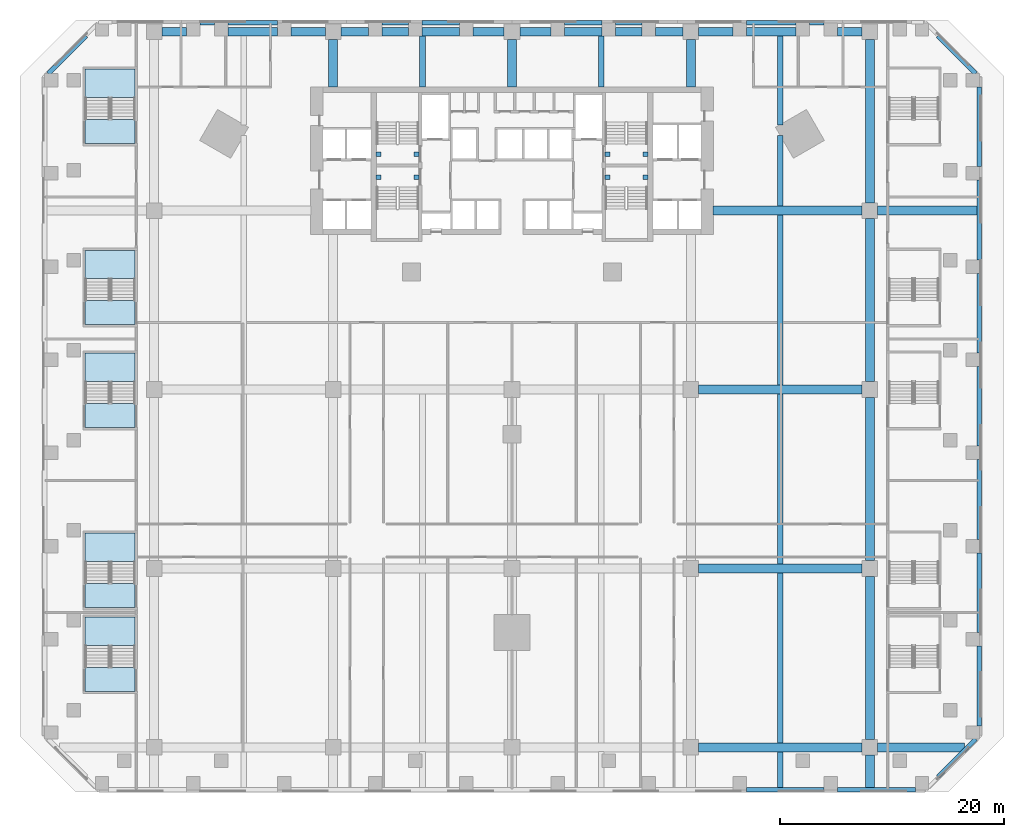
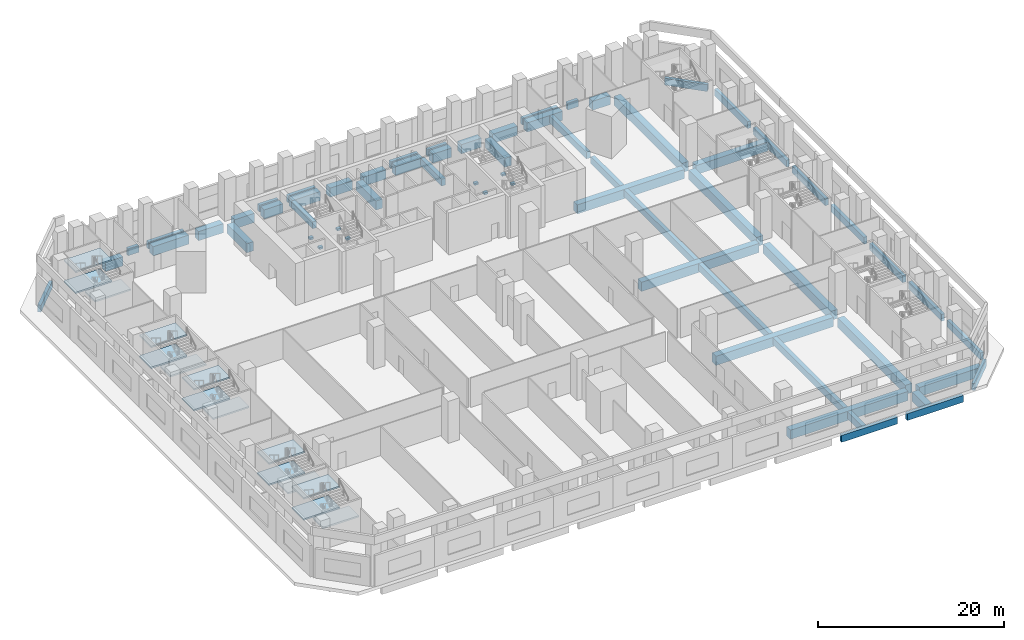
# One storey, part 2 of 22: 64 beams, 15 slabs, 5 elements without a shape of their own.
"""IFC4 building model written with IfcOpenShell, lengths in metres."""

from ifc_helpers import new_model, si_unit, direction, frame, origin, origin_2d, place, context, subcontext, project, spatial, polyline, rectangle, outline, extrude, material, layer, layer_set, material_profile, profile_set, type_object, element, aggregate, save


model = new_model("IFC4")

# Units and contexts
model_context = context("Model", 3, precision=1e-05, world=origin(), true_north=direction((0.0, 1.0)))
body_context = subcontext(model_context, "Body", "Model", "MODEL_VIEW")
ifc_project = project(units=[si_unit("LENGTHUNIT", "METRE"), si_unit("AREAUNIT", "SQUARE_METRE"), si_unit("VOLUMEUNIT", "CUBIC_METRE"), si_unit("PLANEANGLEUNIT", "RADIAN"), si_unit("MASSUNIT", "GRAM", prefix="KILO")], contexts=[model_context])

# Site, building, storey
site_placement = place(None, origin())
site = spatial("IfcSite", under=ifc_project, at=site_placement, CompositionType="ELEMENT")
building_placement = place(site_placement, origin())
building = spatial("IfcBuilding", under=site, at=building_placement, Name="Calabash Gate Tower", CompositionType="ELEMENT")
storey_placement = place(building_placement, frame((0.0, 0.0, 34.5)))
storey = spatial("IfcBuildingStorey", under=building, at=storey_placement, Name="L04", CompositionType="ELEMENT", Elevation=34.5)

# Beams
ifc_material_1 = material(Name="Concrete C50/60", Category="concrete")
ifc_material_profile_1 = material_profile(ifc_material_1, rectangle(XDim=0.39990234375, YDim=0.89990234375, at=origin_2d()))
ifc_profile_set_1 = profile_set([ifc_material_profile_1], Name="Concrete C50/60")
beam_type_1 = type_object("IfcBeamType", Name="Edge beam RC 400x900 Concrete C50/60", PredefinedType="BEAM", material=ifc_profile_set_1)
beam_1_placement = place(storey_placement, frame((-41.464111328125, 20.2529296875, -0.89990234375), z_axis=(0.707209208473, 0.707004339061, 0.0), x_axis=(-0.707004339061, 0.707209208473, 0.0)))
element("IfcBeam", 1, at=beam_1_placement, inside=storey, type_object=beam_type_1, Name="Edge beam L04 9", PredefinedType="BEAM", context=body_context, shape_type="SweptSolid", body=[
    extrude(rectangle(XDim=0.39990234375, YDim=0.89990234375, at=origin_2d()), origin(), (0.0, 0.0, 1.0), 4.766845703125),
])
beam_2_placement = place(storey_placement, frame((-27.919921875, 24.800048828125, -0.89990234375), z_axis=(1.0, 0.0, 0.0), x_axis=(0.0, 1.0, 0.0)))
element("IfcBeam", 2, at=beam_2_placement, inside=storey, type_object=beam_type_1, Name="Edge beam L04 10", PredefinedType="BEAM", context=body_context, shape_type="SweptSolid", body=[
    extrude(rectangle(XDim=0.39990234375, YDim=0.89990234375, at=origin_2d()), origin(), (0.0, 0.0, 1.0), 1.31787109375),
])
beam_3_placement = place(storey_placement, frame((-25.40087890625, 24.800048828125, -0.89990234375), z_axis=(1.0, 0.0, 0.0), x_axis=(0.0, 1.0, 0.0)))
element("IfcBeam", 3, at=beam_3_placement, inside=storey, type_object=beam_type_1, Name="Edge beam L04 11", PredefinedType="BEAM", context=body_context, shape_type="SweptSolid", body=[
    extrude(rectangle(XDim=0.39990234375, YDim=0.89990234375, at=origin_2d()), origin(), (0.0, 0.0, 1.0), 4.428955078125),
])
beam_4_placement = place(storey_placement, frame((-11.623046875, 24.800048828125, -0.89990234375), z_axis=(1.0, 0.0, 0.0), x_axis=(0.0, 1.0, 0.0)))
element("IfcBeam", 4, at=beam_4_placement, inside=storey, type_object=beam_type_1, Name="Edge beam L04 12", PredefinedType="BEAM", context=body_context, shape_type="SweptSolid", body=[
    extrude(rectangle(XDim=0.39990234375, YDim=0.89990234375, at=origin_2d()), origin(), (0.0, 0.0, 1.0), 2.35595703125),
])
for number, where, z_axis, x_axis, name in (
    (5, (-8.06689453125, 24.800048828125, -0.89990234375), (1.0, 0.0, 0.0), (0.0, 1.0, 0.0), "Edge beam L04 13"),
    (6, (4.674072265625, 24.800048828125, -0.89990234375), (1.0, 0.0, 0.0), (0.0, 1.0, 0.0), "Edge beam L04 14"),
):
    element("IfcBeam", number, at=place(storey_placement, frame(where, z_axis=z_axis, x_axis=x_axis)), inside=storey, type_object=beam_type_1, Name=name, PredefinedType="BEAM", context=body_context, shape_type="SweptSolid", body=[
        extrude(rectangle(XDim=0.39990234375, YDim=0.89990234375, at=origin_2d()), origin(), (0.0, 0.0, 1.0), 3.392822265625),
    ])
beam_5_placement = place(storey_placement, frame((9.26708984375, 24.800048828125, -0.89990234375), z_axis=(1.0, 0.0, 0.0), x_axis=(0.0, 1.0, 0.0)))
element("IfcBeam", 7, at=beam_5_placement, inside=storey, type_object=beam_type_1, Name="Edge beam L04 15", PredefinedType="BEAM", context=body_context, shape_type="SweptSolid", body=[
    extrude(rectangle(XDim=0.39990234375, YDim=0.89990234375, at=origin_2d()), origin(), (0.0, 0.0, 1.0), 2.35595703125),
])
beam_6_placement = place(storey_placement, frame((20.971923828125, 24.800048828125, -0.89990234375), z_axis=(1.0, 0.0, 0.0), x_axis=(0.0, 1.0, 0.0)))
element("IfcBeam", 8, at=beam_6_placement, inside=storey, type_object=beam_type_1, Name="Edge beam L04 16", PredefinedType="BEAM", context=body_context, shape_type="SweptSolid", body=[
    extrude(rectangle(XDim=0.39990234375, YDim=0.89990234375, at=origin_2d()), origin(), (0.0, 0.0, 1.0), 4.428955078125),
])
beam_7_placement = place(storey_placement, frame((26.60205078125, 24.800048828125, -0.89990234375), z_axis=(1.0, 0.0, 0.0), x_axis=(0.0, 1.0, 0.0)))
element("IfcBeam", 9, at=beam_7_placement, inside=storey, type_object=beam_type_1, Name="Edge beam L04 17", PredefinedType="BEAM", context=body_context, shape_type="SweptSolid", body=[
    extrude(rectangle(XDim=0.39990234375, YDim=0.89990234375, at=origin_2d()), origin(), (0.0, 0.0, 1.0), 1.31787109375),
])
beam_8_placement = place(storey_placement, frame((38.096923828125, 23.623046875, -0.89990234375), z_axis=(0.706799232068, -0.707414196597, 0.0), x_axis=(0.707414196597, 0.706799232068, 0.0)))
element("IfcBeam", 10, at=beam_8_placement, inside=storey, type_object=beam_type_1, Name="Edge beam L04 18", PredefinedType="BEAM", context=body_context, shape_type="SweptSolid", body=[
    extrude(rectangle(XDim=0.39990234375, YDim=0.89990234375, at=origin_2d()), origin(), (0.0, 0.0, 1.0), 4.763916015625),
])
beam_9_placement = place(storey_placement, frame((41.800048828125, 19.069091796875, -0.89990234375), z_axis=(0.0, -1.0, 0.0), x_axis=(1.0, 0.0, 0.0)))
element("IfcBeam", 11, at=beam_9_placement, inside=storey, type_object=beam_type_1, Name="Edge beam L04 19", PredefinedType="BEAM", context=body_context, shape_type="SweptSolid", body=[
    extrude(rectangle(XDim=0.39990234375, YDim=0.89990234375, at=origin_2d()), origin(), (0.0, 0.0, 1.0), 7.132080078125),
])
beam_10_placement = place(storey_placement, frame((41.800048828125, 10.737060546875, -0.89990234375), z_axis=(0.0, -1.0, 0.0), x_axis=(1.0, 0.0, 0.0)))
element("IfcBeam", 12, at=beam_10_placement, inside=storey, type_object=beam_type_1, Name="Edge beam L04 20", PredefinedType="BEAM", context=body_context, shape_type="SweptSolid", body=[
    extrude(rectangle(XDim=0.39990234375, YDim=0.89990234375, at=origin_2d()), origin(), (0.0, 0.0, 1.0), 7.135986328125),
])
for number, where, z_axis, x_axis, name in (
    (13, (41.800048828125, 2.40087890625, -0.89990234375), (0.0, -1.0, 0.0), (1.0, 0.0, 0.0), "Edge beam L04 21"),
    (14, (41.800048828125, -5.93310546875, -0.89990234375), (0.0, -1.0, 0.0), (1.0, 0.0, 0.0), "Edge beam L04 22"),
    (15, (41.800048828125, -14.26708984375, -0.89990234375), (0.0, -1.0, 0.0), (1.0, 0.0, 0.0), "Edge beam L04 23"),
):
    element("IfcBeam", number, at=place(storey_placement, frame(where, z_axis=z_axis, x_axis=x_axis)), inside=storey, type_object=beam_type_1, Name=name, PredefinedType="BEAM", context=body_context, shape_type="SweptSolid", body=[
        extrude(rectangle(XDim=0.39990234375, YDim=0.89990234375, at=origin_2d()), origin(), (0.0, 0.0, 1.0), 7.1337890625),
    ])
beam_11_placement = place(storey_placement, frame((41.800048828125, -22.60107421875, -0.89990234375), z_axis=(0.0, -1.0, 0.0), x_axis=(1.0, 0.0, 0.0)))
element("IfcBeam", 16, at=beam_11_placement, inside=storey, type_object=beam_type_1, Name="Edge beam L04 24", PredefinedType="BEAM", context=body_context, shape_type="SweptSolid", body=[
    extrude(rectangle(XDim=0.39990234375, YDim=0.89990234375, at=origin_2d()), origin(), (0.0, 0.0, 1.0), 7.1318359375),
])
beam_12_placement = place(storey_placement, frame((41.800048828125, -30.93310546875, -0.89990234375), z_axis=(0.0, -1.0, 0.0), x_axis=(1.0, 0.0, 0.0)))
element("IfcBeam", 17, at=beam_12_placement, inside=storey, type_object=beam_type_1, Name="Edge beam L04 25", PredefinedType="BEAM", context=body_context, shape_type="SweptSolid", body=[
    extrude(rectangle(XDim=0.39990234375, YDim=0.89990234375, at=origin_2d()), origin(), (0.0, 0.0, 1.0), 7.135986328125),
])
beam_13_placement = place(storey_placement, frame((41.470947265625, -39.24609375, -0.89990234375), z_axis=(-0.706799855043, -0.707413574164, 0.0), x_axis=(0.707413574164, -0.706799855043, 0.0)))
element("IfcBeam", 18, at=beam_13_placement, inside=storey, type_object=beam_type_1, Name="Edge beam L04 26", PredefinedType="BEAM", context=body_context, shape_type="SweptSolid", body=[
    extrude(rectangle(XDim=0.39990234375, YDim=0.89990234375, at=origin_2d()), origin(), (0.0, 0.0, 1.0), 4.773681640625),
])
beam_14_placement = place(storey_placement, frame((36.069091796875, -43.800048828125, -0.89990234375), z_axis=(-1.0, 0.0, 0.0), x_axis=(0.0, -1.0, 0.0)))
element("IfcBeam", 19, at=beam_14_placement, inside=storey, type_object=beam_type_1, Name="Edge beam L04 27", PredefinedType="BEAM", context=body_context, shape_type="SweptSolid", body=[
    extrude(rectangle(XDim=0.39990234375, YDim=0.89990234375, at=origin_2d()), origin(), (0.0, 0.0, 1.0), 6.948974609375),
])
beam_15_placement = place(storey_placement, frame((27.919921875, -43.800048828125, -0.89990234375), z_axis=(-1.0, 0.0, 0.0), x_axis=(0.0, -1.0, 0.0)))
element("IfcBeam", 20, at=beam_15_placement, inside=storey, type_object=beam_type_1, Name="Edge beam L04 28", PredefinedType="BEAM", context=body_context, shape_type="SweptSolid", body=[
    extrude(rectangle(XDim=0.39990234375, YDim=0.89990234375, at=origin_2d()), origin(), (0.0, 0.0, 1.0), 6.947998046875),
])
ifc_material_2 = material(Name="Concrete C50/60", Category="concrete")
ifc_material_profile_2 = material_profile(ifc_material_2, rectangle(XDim=0.5, YDim=0.89990234375, at=origin_2d()))
ifc_profile_set_2 = profile_set([ifc_material_profile_2], Name="Concrete C50/60")
beam_type_2 = type_object("IfcBeamType", Name="Floor beam RC 500x900 Concrete C50/60", PredefinedType="BEAM", material=ifc_profile_set_2)
for number, where, z_axis, x_axis, name in (
    (21, (-8.0, 19.052978515625, -0.89990234375), (0.0, 1.0, 0.0), (-1.0, 0.0, 0.0), "Floor beam L04 10"),
    (22, (8.0, 19.052978515625, -0.89990234375), (0.0, 1.0, 0.0), (-1.0, 0.0, 0.0), "Floor beam L04 14"),
):
    element("IfcBeam", number, at=place(storey_placement, frame(where, z_axis=z_axis, x_axis=x_axis)), inside=storey, type_object=beam_type_2, Name=name, PredefinedType="BEAM", context=body_context, shape_type="SweptSolid", body=[
        extrude(rectangle(XDim=0.5, YDim=0.89990234375, at=origin_2d()), origin(), (0.0, 0.0, 1.0), 4.547119140625),
    ])
beam_16_placement = place(storey_placement, frame((24.0, -43.60009765625, -0.89990234375), z_axis=(0.0, 1.0, 0.0), x_axis=(-1.0, 0.0, 0.0)))
element("IfcBeam", 23, at=beam_16_placement, inside=storey, type_object=beam_type_2, Name="Floor beam L04 15", PredefinedType="BEAM", context=body_context, shape_type="SweptSolid", body=[
    extrude(rectangle(XDim=0.5, YDim=0.89990234375, at=origin_2d()), origin(), (0.0, 0.0, 1.0), 3.2001953125),
])
for number, where, z_axis, x_axis, name in (
    (24, (24.0, -39.60009765625, -0.89990234375), (0.0, 1.0, 0.0), (-1.0, 0.0, 0.0), "Floor beam L04 16"),
    (25, (24.0, -23.60009765625, -0.89990234375), (0.0, 1.0, 0.0), (-1.0, 0.0, 0.0), "Floor beam L04 17"),
    (26, (24.0, -7.60009765625, -0.89990234375), (0.0, 1.0, 0.0), (-1.0, 0.0, 0.0), "Floor beam L04 18"),
):
    element("IfcBeam", number, at=place(storey_placement, frame(where, z_axis=z_axis, x_axis=x_axis)), inside=storey, type_object=beam_type_2, Name=name, PredefinedType="BEAM", context=body_context, shape_type="SweptSolid", body=[
        extrude(rectangle(XDim=0.5, YDim=0.89990234375, at=origin_2d()), origin(), (0.0, 0.0, 1.0), 15.2001953125),
    ])
beam_17_placement = place(storey_placement, frame((24.0, 8.39990234375, -0.89990234375), z_axis=(0.0, 1.0, 0.0), x_axis=(-1.0, 0.0, 0.0)))
element("IfcBeam", 27, at=beam_17_placement, inside=storey, type_object=beam_type_2, Name="Floor beam L04 19", PredefinedType="BEAM", context=body_context, shape_type="SweptSolid", body=[
    extrude(rectangle(XDim=0.5, YDim=0.89990234375, at=origin_2d()), origin(), (0.0, 0.0, 1.0), 6.319091796875),
])
beam_18_placement = place(storey_placement, frame((24.0, 15.681884765625, -0.89990234375), z_axis=(0.0, 1.0, 0.0), x_axis=(-1.0, 0.0, 0.0)))
element("IfcBeam", 28, at=beam_18_placement, inside=storey, type_object=beam_type_2, Name="Floor beam L04 20", PredefinedType="BEAM", context=body_context, shape_type="SweptSolid", body=[
    extrude(rectangle(XDim=0.5, YDim=0.89990234375, at=origin_2d()), origin(), (0.0, 0.0, 1.0), 7.918212890625),
])
ifc_material_3 = material(Name="Concrete C50/60", Category="concrete")
ifc_material_profile_3 = material_profile(ifc_material_3, rectangle(XDim=0.800048828125, YDim=1.199951171875, at=origin_2d()))
ifc_profile_set_3 = profile_set([ifc_material_profile_3], Name="Concrete C50/60")
beam_type_3 = type_object("IfcBeamType", Name="Grid girder RC 800x1200 Concrete C50/60", PredefinedType="BEAM", material=ifc_profile_set_3)
for number, where, z_axis, x_axis, name in (
    (29, (-16.0, 19.052978515625, -1.050048828125), (0.0, 1.0, 0.0), (-1.0, 0.0, 0.0), "Grid girder L04 10"),
    (30, (0.0, 19.052978515625, -1.050048828125), (0.0, 1.0, 0.0), (-1.0, 0.0, 0.0), "Grid girder L04 16"),
    (31, (16.0, 19.052978515625, -1.050048828125), (0.0, 1.0, 0.0), (-1.0, 0.0, 0.0), "Grid girder L04 21"),
):
    element("IfcBeam", number, at=place(storey_placement, frame(where, z_axis=z_axis, x_axis=x_axis)), inside=storey, type_object=beam_type_3, Name=name, PredefinedType="BEAM", context=body_context, shape_type="SweptSolid", body=[
        extrude(rectangle(XDim=0.800048828125, YDim=1.199951171875, at=origin_2d()), origin(), (0.0, 0.0, 1.0), 4.2470703125),
    ])
beam_19_placement = place(storey_placement, frame((32.0, -43.60009765625, -1.050048828125), z_axis=(0.0, 1.0, 0.0), x_axis=(-1.0, 0.0, 0.0)))
element("IfcBeam", 32, at=beam_19_placement, inside=storey, type_object=beam_type_3, Name="Grid girder L04 22", PredefinedType="BEAM", context=body_context, shape_type="SweptSolid", body=[
    extrude(rectangle(XDim=0.800048828125, YDim=1.199951171875, at=origin_2d()), origin(), (0.0, 0.0, 1.0), 2.900146484375),
])
for number, where, z_axis, x_axis, name in (
    (33, (32.0, -39.300048828125, -1.050048828125), (0.0, 1.0, 0.0), (-1.0, 0.0, 0.0), "Grid girder L04 23"),
    (34, (32.0, -23.300048828125, -1.050048828125), (0.0, 1.0, 0.0), (-1.0, 0.0, 0.0), "Grid girder L04 24"),
    (35, (32.0, -7.300048828125, -1.050048828125), (0.0, 1.0, 0.0), (-1.0, 0.0, 0.0), "Grid girder L04 25"),
    (36, (32.0, 8.699951171875, -1.050048828125), (0.0, 1.0, 0.0), (-1.0, 0.0, 0.0), "Grid girder L04 26"),
    (37, (16.699951171875, -40.0, -1.050048828125), (1.0, 0.0, 0.0), (0.0, 1.0, 0.0), "Grid girder L04 31"),
):
    element("IfcBeam", number, at=place(storey_placement, frame(where, z_axis=z_axis, x_axis=x_axis)), inside=storey, type_object=beam_type_3, Name=name, PredefinedType="BEAM", context=body_context, shape_type="SweptSolid", body=[
        extrude(rectangle(XDim=0.800048828125, YDim=1.199951171875, at=origin_2d()), origin(), (0.0, 0.0, 1.0), 14.60009765625),
    ])
beam_20_placement = place(storey_placement, frame((32.699951171875, -40.0, -1.050048828125), z_axis=(1.0, 0.0, 0.0), x_axis=(0.0, 1.0, 0.0)))
element("IfcBeam", 38, at=beam_20_placement, inside=storey, type_object=beam_type_3, Name="Grid girder L04 32", PredefinedType="BEAM", context=body_context, shape_type="SweptSolid", body=[
    extrude(rectangle(XDim=0.800048828125, YDim=1.199951171875, at=origin_2d()), origin(), (0.0, 0.0, 1.0), 7.76611328125),
])
for number, where, z_axis, x_axis, name in (
    (39, (16.699951171875, -24.0, -1.050048828125), (1.0, 0.0, 0.0), (0.0, 1.0, 0.0), "Grid girder L04 36"),
    (40, (16.699951171875, -8.0, -1.050048828125), (1.0, 0.0, 0.0), (0.0, 1.0, 0.0), "Grid girder L04 40"),
):
    element("IfcBeam", number, at=place(storey_placement, frame(where, z_axis=z_axis, x_axis=x_axis)), inside=storey, type_object=beam_type_3, Name=name, PredefinedType="BEAM", context=body_context, shape_type="SweptSolid", body=[
        extrude(rectangle(XDim=0.800048828125, YDim=1.199951171875, at=origin_2d()), origin(), (0.0, 0.0, 1.0), 14.60009765625),
    ])
beam_21_placement = place(storey_placement, frame((17.968017578125, 8.0, -1.050048828125), z_axis=(1.0, 0.0, 0.0), x_axis=(0.0, 1.0, 0.0)))
element("IfcBeam", 41, at=beam_21_placement, inside=storey, type_object=beam_type_3, Name="Grid girder L04 43", PredefinedType="BEAM", context=body_context, shape_type="SweptSolid", body=[
    extrude(rectangle(XDim=0.800048828125, YDim=1.199951171875, at=origin_2d()), origin(), (0.0, 0.0, 1.0), 13.33203125),
])
beam_22_placement = place(storey_placement, frame((32.699951171875, 8.0, -1.050048828125), z_axis=(1.0, 0.0, 0.0), x_axis=(0.0, 1.0, 0.0)))
element("IfcBeam", 42, at=beam_22_placement, inside=storey, type_object=beam_type_3, Name="Grid girder L04 44", PredefinedType="BEAM", context=body_context, shape_type="SweptSolid", body=[
    extrude(rectangle(XDim=0.800048828125, YDim=1.199951171875, at=origin_2d()), origin(), (0.0, 0.0, 1.0), 8.900146484375),
])
beam_23_placement = place(storey_placement, frame((-31.300048828125, 24.0, -1.050048828125), z_axis=(1.0, 0.0, 0.0), x_axis=(0.0, 1.0, 0.0)))
element("IfcBeam", 43, at=beam_23_placement, inside=storey, type_object=beam_type_3, Name="Grid girder L04 45", PredefinedType="BEAM", context=body_context, shape_type="SweptSolid", body=[
    extrude(rectangle(XDim=0.800048828125, YDim=1.199951171875, at=origin_2d()), origin(), (0.0, 0.0, 1.0), 2.179931640625),
])
beam_24_placement = place(storey_placement, frame((-25.40087890625, 24.0, -1.050048828125), z_axis=(1.0, 0.0, 0.0), x_axis=(0.0, 1.0, 0.0)))
element("IfcBeam", 44, at=beam_24_placement, inside=storey, type_object=beam_type_3, Name="Grid girder L04 46", PredefinedType="BEAM", context=body_context, shape_type="SweptSolid", body=[
    extrude(rectangle(XDim=0.800048828125, YDim=1.199951171875, at=origin_2d()), origin(), (0.0, 0.0, 1.0), 4.428955078125),
])
beam_25_placement = place(storey_placement, frame((-19.77099609375, 24.0, -1.050048828125), z_axis=(1.0, 0.0, 0.0), x_axis=(0.0, 1.0, 0.0)))
element("IfcBeam", 45, at=beam_25_placement, inside=storey, type_object=beam_type_3, Name="Grid girder L04 47", PredefinedType="BEAM", context=body_context, shape_type="SweptSolid", body=[
    extrude(rectangle(XDim=0.800048828125, YDim=1.199951171875, at=origin_2d()), origin(), (0.0, 0.0, 1.0), 3.071044921875),
])
beam_26_placement = place(storey_placement, frame((-15.300048828125, 24.0, -1.050048828125), z_axis=(1.0, 0.0, 0.0), x_axis=(0.0, 1.0, 0.0)))
element("IfcBeam", 46, at=beam_26_placement, inside=storey, type_object=beam_type_3, Name="Grid girder L04 48", PredefinedType="BEAM", context=body_context, shape_type="SweptSolid", body=[
    extrude(rectangle(XDim=0.800048828125, YDim=1.199951171875, at=origin_2d()), origin(), (0.0, 0.0, 1.0), 2.47705078125),
])
beam_27_placement = place(storey_placement, frame((-11.623046875, 24.0, -1.050048828125), z_axis=(1.0, 0.0, 0.0), x_axis=(0.0, 1.0, 0.0)))
element("IfcBeam", 47, at=beam_27_placement, inside=storey, type_object=beam_type_3, Name="Grid girder L04 49", PredefinedType="BEAM", context=body_context, shape_type="SweptSolid", body=[
    extrude(rectangle(XDim=0.800048828125, YDim=1.199951171875, at=origin_2d()), origin(), (0.0, 0.0, 1.0), 2.35595703125),
])
beam_28_placement = place(storey_placement, frame((-8.06689453125, 24.0, -1.050048828125), z_axis=(1.0, 0.0, 0.0), x_axis=(0.0, 1.0, 0.0)))
element("IfcBeam", 48, at=beam_28_placement, inside=storey, type_object=beam_type_3, Name="Grid girder L04 50", PredefinedType="BEAM", context=body_context, shape_type="SweptSolid", body=[
    extrude(rectangle(XDim=0.800048828125, YDim=1.199951171875, at=origin_2d()), origin(), (0.0, 0.0, 1.0), 3.392822265625),
])
for number, where, z_axis, x_axis, name in (
    (49, (-3.47412109375, 24.0, -1.050048828125), (1.0, 0.0, 0.0), (0.0, 1.0, 0.0), "Grid girder L04 51"),
    (50, (0.699951171875, 24.0, -1.050048828125), (1.0, 0.0, 0.0), (0.0, 1.0, 0.0), "Grid girder L04 52"),
):
    element("IfcBeam", number, at=place(storey_placement, frame(where, z_axis=z_axis, x_axis=x_axis)), inside=storey, type_object=beam_type_3, Name=name, PredefinedType="BEAM", context=body_context, shape_type="SweptSolid", body=[
        extrude(rectangle(XDim=0.800048828125, YDim=1.199951171875, at=origin_2d()), origin(), (0.0, 0.0, 1.0), 2.774169921875),
    ])
beam_29_placement = place(storey_placement, frame((4.674072265625, 24.0, -1.050048828125), z_axis=(1.0, 0.0, 0.0), x_axis=(0.0, 1.0, 0.0)))
element("IfcBeam", 51, at=beam_29_placement, inside=storey, type_object=beam_type_3, Name="Grid girder L04 53", PredefinedType="BEAM", context=body_context, shape_type="SweptSolid", body=[
    extrude(rectangle(XDim=0.800048828125, YDim=1.199951171875, at=origin_2d()), origin(), (0.0, 0.0, 1.0), 3.392822265625),
])
beam_30_placement = place(storey_placement, frame((9.26708984375, 24.0, -1.050048828125), z_axis=(1.0, 0.0, 0.0), x_axis=(0.0, 1.0, 0.0)))
element("IfcBeam", 52, at=beam_30_placement, inside=storey, type_object=beam_type_3, Name="Grid girder L04 54", PredefinedType="BEAM", context=body_context, shape_type="SweptSolid", body=[
    extrude(rectangle(XDim=0.800048828125, YDim=1.199951171875, at=origin_2d()), origin(), (0.0, 0.0, 1.0), 2.35595703125),
])
beam_31_placement = place(storey_placement, frame((12.822998046875, 24.0, -1.050048828125), z_axis=(1.0, 0.0, 0.0), x_axis=(0.0, 1.0, 0.0)))
element("IfcBeam", 53, at=beam_31_placement, inside=storey, type_object=beam_type_3, Name="Grid girder L04 55", PredefinedType="BEAM", context=body_context, shape_type="SweptSolid", body=[
    extrude(rectangle(XDim=0.800048828125, YDim=1.199951171875, at=origin_2d()), origin(), (0.0, 0.0, 1.0), 2.47705078125),
])
beam_32_placement = place(storey_placement, frame((16.699951171875, 24.0, -1.050048828125), z_axis=(1.0, 0.0, 0.0), x_axis=(0.0, 1.0, 0.0)))
element("IfcBeam", 54, at=beam_32_placement, inside=storey, type_object=beam_type_3, Name="Grid girder L04 56", PredefinedType="BEAM", context=body_context, shape_type="SweptSolid", body=[
    extrude(rectangle(XDim=0.800048828125, YDim=1.199951171875, at=origin_2d()), origin(), (0.0, 0.0, 1.0), 3.071044921875),
])
beam_33_placement = place(storey_placement, frame((20.971923828125, 24.0, -1.050048828125), z_axis=(1.0, 0.0, 0.0), x_axis=(0.0, 1.0, 0.0)))
element("IfcBeam", 55, at=beam_33_placement, inside=storey, type_object=beam_type_3, Name="Grid girder L04 57", PredefinedType="BEAM", context=body_context, shape_type="SweptSolid", body=[
    extrude(rectangle(XDim=0.800048828125, YDim=1.199951171875, at=origin_2d()), origin(), (0.0, 0.0, 1.0), 4.428955078125),
])
beam_34_placement = place(storey_placement, frame((29.1201171875, 24.0, -1.050048828125), z_axis=(1.0, 0.0, 0.0), x_axis=(0.0, 1.0, 0.0)))
element("IfcBeam", 56, at=beam_34_placement, inside=storey, type_object=beam_type_3, Name="Grid girder L04 58", PredefinedType="BEAM", context=body_context, shape_type="SweptSolid", body=[
    extrude(rectangle(XDim=0.800048828125, YDim=1.199951171875, at=origin_2d()), origin(), (0.0, 0.0, 1.0), 2.179931640625),
])
ifc_material_4 = material(Name="Concrete C60/75", Category="concrete")
ifc_material_profile_4 = material_profile(ifc_material_4, rectangle(XDim=0.39990234375, YDim=0.25, at=origin_2d()))
ifc_profile_set_4 = profile_set([ifc_material_profile_4], Name="Concrete C60/75")
beam_type_4 = type_object("IfcBeamType", Name="Landing corbel RC 400x250 Concrete C60/75", PredefinedType="BEAM", material=ifc_profile_set_4)
for number, where, z_axis, x_axis, name in (
    (57, (-12.14990234375, 13.052978515625, 2.424072265625), (1.0, 0.0, 0.0), (0.0, 1.0, 0.0), "Landing corbel ST1-L04/L2 west"),
    (58, (-8.300048828125, 13.052978515625, 2.424072265625), (-1.0, 0.0, 0.0), (0.0, -1.0, 0.0), "Landing corbel ST1-L04/L2 east"),
    (59, (-12.14990234375, 11.0029296875, 2.424072265625), (1.0, 0.0, 0.0), (0.0, 1.0, 0.0), "Landing corbel ST2-L04/L2 west"),
    (60, (-8.300048828125, 11.0029296875, 2.424072265625), (-1.0, 0.0, 0.0), (0.0, -1.0, 0.0), "Landing corbel ST2-L04/L2 east"),
    (61, (8.300048828125, 13.052978515625, 2.424072265625), (1.0, 0.0, 0.0), (0.0, 1.0, 0.0), "Landing corbel ST3-L04/L2 west"),
    (62, (12.14990234375, 13.052978515625, 2.424072265625), (-1.0, 0.0, 0.0), (0.0, -1.0, 0.0), "Landing corbel ST3-L04/L2 east"),
    (63, (8.300048828125, 11.0029296875, 2.424072265625), (1.0, 0.0, 0.0), (0.0, 1.0, 0.0), "Landing corbel ST4-L04/L2 west"),
    (64, (12.14990234375, 11.0029296875, 2.424072265625), (-1.0, 0.0, 0.0), (0.0, -1.0, 0.0), "Landing corbel ST4-L04/L2 east"),
):
    element("IfcBeam", number, at=place(storey_placement, frame(where, z_axis=z_axis, x_axis=x_axis)), inside=storey, type_object=beam_type_4, Name=name, PredefinedType="BEAM", context=body_context, shape_type="SweptSolid", body=[
        extrude(rectangle(XDim=0.39990234375, YDim=0.25, at=origin_2d()), origin(), (0.0, 0.0, 1.0), 0.449951171875),
    ])

# Stair, slabs
ifc_material_5 = material(Name="Concrete C40/50", Category="concrete")
stair_type = type_object("IfcStairType", Name="Public stair 32 risers of 171.9 mm", PredefinedType="HALF_TURN_STAIR", material=ifc_material_5)
stair_1_placement = place(storey_placement, origin())
stair_1 = element("IfcStair", 65, at=stair_1_placement, inside=storey, type_object=stair_type, Name="L04 Public Stair PS1", PredefinedType="HALF_TURN_STAIR")
ifc_material_6 = material(Name="Concrete C40/50", Category="concrete")
ifc_layer = layer(ifc_material_6, 0.199951171875)
ifc_layer_set = layer_set([ifc_layer], Name="Stair landing SL200")
slab_type = type_object("IfcSlabType", Name="Stair landing SL200", PredefinedType="LANDING", material=ifc_layer_set)
slab_1_placement = place(storey_placement, frame((0.0, 0.0, 1.175048828125)))
slab_1 = element("IfcSlab", 66, at=slab_1_placement, type_object=slab_type, Name="PS1 landing 1", PredefinedType="LANDING", context=body_context, shape_type="SweptSolid", body=[
    extrude(outline(polyline([(-33.699951171875, -30.886962890625), (-33.699951171875, -28.35009765625), (-38.169921875, -28.35009765625), (-38.169921875, -30.886962890625), (-33.699951171875, -30.886962890625)])), origin(), (0.0, 0.0, 1.0), 0.199951171875),
])
slab_2_placement = place(storey_placement, frame((0.0, 0.0, 2.550048828125)))
slab_2 = element("IfcSlab", 67, at=slab_2_placement, type_object=slab_type, Name="PS1 landing 2", PredefinedType="LANDING", context=body_context, shape_type="SweptSolid", body=[
    extrude(outline(polyline([(-33.699951171875, -35.0), (-33.699951171875, -32.840087890625), (-38.169921875, -32.840087890625), (-38.169921875, -35.0), (-33.699951171875, -35.0)])), origin(), (0.0, 0.0, 1.0), 0.199951171875),
])
slab_3_placement = place(storey_placement, frame((0.0, 0.0, 3.925048828125)))
slab_3 = element("IfcSlab", 68, at=slab_3_placement, type_object=slab_type, Name="PS1 landing 3", PredefinedType="LANDING", context=body_context, shape_type="SweptSolid", body=[
    extrude(outline(polyline([(-33.699951171875, -30.886962890625), (-33.699951171875, -28.35009765625), (-38.169921875, -28.35009765625), (-38.169921875, -30.886962890625), (-33.699951171875, -30.886962890625)])), origin(), (0.0, 0.0, 1.0), 0.199951171875),
])
aggregate(stair_1, [slab_1, slab_2, slab_3])

stair_2_placement = place(storey_placement, origin())
stair_2 = element("IfcStair", 69, at=stair_2_placement, inside=storey, type_object=stair_type, Name="L04 Public Stair PS2", PredefinedType="HALF_TURN_STAIR")
slab_4_placement = place(storey_placement, frame((0.0, 0.0, 1.175048828125)))
slab_4 = element("IfcSlab", 70, at=slab_4_placement, type_object=slab_type, Name="PS2 landing 1", PredefinedType="LANDING", context=body_context, shape_type="SweptSolid", body=[
    extrude(outline(polyline([(-33.699951171875, -23.386962890625), (-33.699951171875, -20.85009765625), (-38.169921875, -20.85009765625), (-38.169921875, -23.386962890625), (-33.699951171875, -23.386962890625)])), origin(), (0.0, 0.0, 1.0), 0.199951171875),
])
slab_5_placement = place(storey_placement, frame((0.0, 0.0, 2.550048828125)))
slab_5 = element("IfcSlab", 71, at=slab_5_placement, type_object=slab_type, Name="PS2 landing 2", PredefinedType="LANDING", context=body_context, shape_type="SweptSolid", body=[
    extrude(outline(polyline([(-33.699951171875, -27.5), (-33.699951171875, -25.340087890625), (-38.169921875, -25.340087890625), (-38.169921875, -27.5), (-33.699951171875, -27.5)])), origin(), (0.0, 0.0, 1.0), 0.199951171875),
])
slab_6_placement = place(storey_placement, frame((0.0, 0.0, 3.925048828125)))
slab_6 = element("IfcSlab", 72, at=slab_6_placement, type_object=slab_type, Name="PS2 landing 3", PredefinedType="LANDING", context=body_context, shape_type="SweptSolid", body=[
    extrude(outline(polyline([(-33.699951171875, -23.386962890625), (-33.699951171875, -20.85009765625), (-38.169921875, -20.85009765625), (-38.169921875, -23.386962890625), (-33.699951171875, -23.386962890625)])), origin(), (0.0, 0.0, 1.0), 0.199951171875),
])
aggregate(stair_2, [slab_4, slab_5, slab_6])

stair_3_placement = place(storey_placement, origin())
stair_3 = element("IfcStair", 73, at=stair_3_placement, inside=storey, type_object=stair_type, Name="L04 Public Stair PS3", PredefinedType="HALF_TURN_STAIR")
slab_7_placement = place(storey_placement, frame((0.0, 0.0, 1.175048828125)))
slab_7 = element("IfcSlab", 74, at=slab_7_placement, type_object=slab_type, Name="PS3 landing 1", PredefinedType="LANDING", context=body_context, shape_type="SweptSolid", body=[
    extrude(outline(polyline([(-33.699951171875, -7.287109375), (-33.699951171875, -4.75), (-38.169921875, -4.75), (-38.169921875, -7.287109375), (-33.699951171875, -7.287109375)])), origin(), (0.0, 0.0, 1.0), 0.199951171875),
])
slab_8_placement = place(storey_placement, frame((0.0, 0.0, 2.550048828125)))
slab_8 = element("IfcSlab", 75, at=slab_8_placement, type_object=slab_type, Name="PS3 landing 2", PredefinedType="LANDING", context=body_context, shape_type="SweptSolid", body=[
    extrude(outline(polyline([(-33.699951171875, -11.39990234375), (-33.699951171875, -9.239990234375), (-38.169921875, -9.239990234375), (-38.169921875, -11.39990234375), (-33.699951171875, -11.39990234375)])), origin(), (0.0, 0.0, 1.0), 0.199951171875),
])
slab_9_placement = place(storey_placement, frame((0.0, 0.0, 3.925048828125)))
slab_9 = element("IfcSlab", 76, at=slab_9_placement, type_object=slab_type, Name="PS3 landing 3", PredefinedType="LANDING", context=body_context, shape_type="SweptSolid", body=[
    extrude(outline(polyline([(-33.699951171875, -7.287109375), (-33.699951171875, -4.75), (-38.169921875, -4.75), (-38.169921875, -7.287109375), (-33.699951171875, -7.287109375)])), origin(), (0.0, 0.0, 1.0), 0.199951171875),
])
aggregate(stair_3, [slab_7, slab_8, slab_9])

stair_4_placement = place(storey_placement, origin())
stair_4 = element("IfcStair", 77, at=stair_4_placement, inside=storey, type_object=stair_type, Name="L04 Public Stair PS4", PredefinedType="HALF_TURN_STAIR")
slab_10_placement = place(storey_placement, frame((0.0, 0.0, 1.175048828125)))
slab_10 = element("IfcSlab", 78, at=slab_10_placement, type_object=slab_type, Name="PS4 landing 1", PredefinedType="LANDING", context=body_context, shape_type="SweptSolid", body=[
    extrude(outline(polyline([(-33.699951171875, 1.9130859375), (-33.699951171875, 4.449951171875), (-38.169921875, 4.449951171875), (-38.169921875, 1.9130859375), (-33.699951171875, 1.9130859375)])), origin(), (0.0, 0.0, 1.0), 0.199951171875),
])
slab_11_placement = place(storey_placement, frame((0.0, 0.0, 2.550048828125)))
slab_11 = element("IfcSlab", 79, at=slab_11_placement, type_object=slab_type, Name="PS4 landing 2", PredefinedType="LANDING", context=body_context, shape_type="SweptSolid", body=[
    extrude(outline(polyline([(-33.699951171875, -2.199951171875), (-33.699951171875, -0.0400390625), (-38.169921875, -0.0400390625), (-38.169921875, -2.199951171875), (-33.699951171875, -2.199951171875)])), origin(), (0.0, 0.0, 1.0), 0.199951171875),
])
slab_12_placement = place(storey_placement, frame((0.0, 0.0, 3.925048828125)))
slab_12 = element("IfcSlab", 80, at=slab_12_placement, type_object=slab_type, Name="PS4 landing 3", PredefinedType="LANDING", context=body_context, shape_type="SweptSolid", body=[
    extrude(outline(polyline([(-33.699951171875, 1.9130859375), (-33.699951171875, 4.449951171875), (-38.169921875, 4.449951171875), (-38.169921875, 1.9130859375), (-33.699951171875, 1.9130859375)])), origin(), (0.0, 0.0, 1.0), 0.199951171875),
])
aggregate(stair_4, [slab_10, slab_11, slab_12])

stair_5_placement = place(storey_placement, origin())
stair_5 = element("IfcStair", 81, at=stair_5_placement, inside=storey, type_object=stair_type, Name="L04 Public Stair PS5", PredefinedType="HALF_TURN_STAIR")
slab_13_placement = place(storey_placement, frame((0.0, 0.0, 1.175048828125)))
slab_13 = element("IfcSlab", 82, at=slab_13_placement, type_object=slab_type, Name="PS5 landing 1", PredefinedType="LANDING", context=body_context, shape_type="SweptSolid", body=[
    extrude(outline(polyline([(-33.699951171875, 18.113037109375), (-33.699951171875, 20.64990234375), (-38.169921875, 20.64990234375), (-38.169921875, 18.113037109375), (-33.699951171875, 18.113037109375)])), origin(), (0.0, 0.0, 1.0), 0.199951171875),
])
slab_14_placement = place(storey_placement, frame((0.0, 0.0, 2.550048828125)))
slab_14 = element("IfcSlab", 83, at=slab_14_placement, type_object=slab_type, Name="PS5 landing 2", PredefinedType="LANDING", context=body_context, shape_type="SweptSolid", body=[
    extrude(outline(polyline([(-33.699951171875, 14.0), (-33.699951171875, 16.159912109375), (-38.169921875, 16.159912109375), (-38.169921875, 14.0), (-33.699951171875, 14.0)])), origin(), (0.0, 0.0, 1.0), 0.199951171875),
])
slab_15_placement = place(storey_placement, frame((0.0, 0.0, 3.925048828125)))
slab_15 = element("IfcSlab", 84, at=slab_15_placement, type_object=slab_type, Name="PS5 landing 3", PredefinedType="LANDING", context=body_context, shape_type="SweptSolid", body=[
    extrude(outline(polyline([(-33.699951171875, 18.113037109375), (-33.699951171875, 20.64990234375), (-38.169921875, 20.64990234375), (-38.169921875, 18.113037109375), (-33.699951171875, 18.113037109375)])), origin(), (0.0, 0.0, 1.0), 0.199951171875),
])
aggregate(stair_5, [slab_13, slab_14, slab_15])

save(model, "model.ifc")
